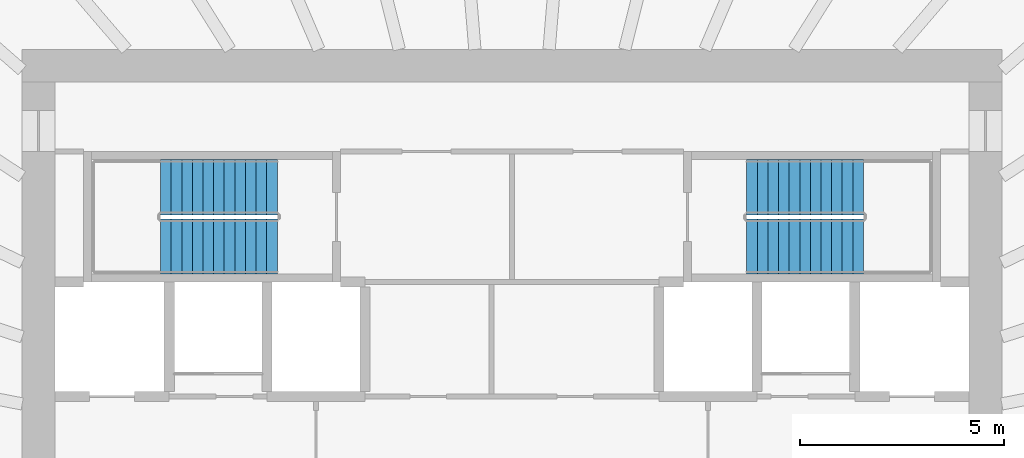
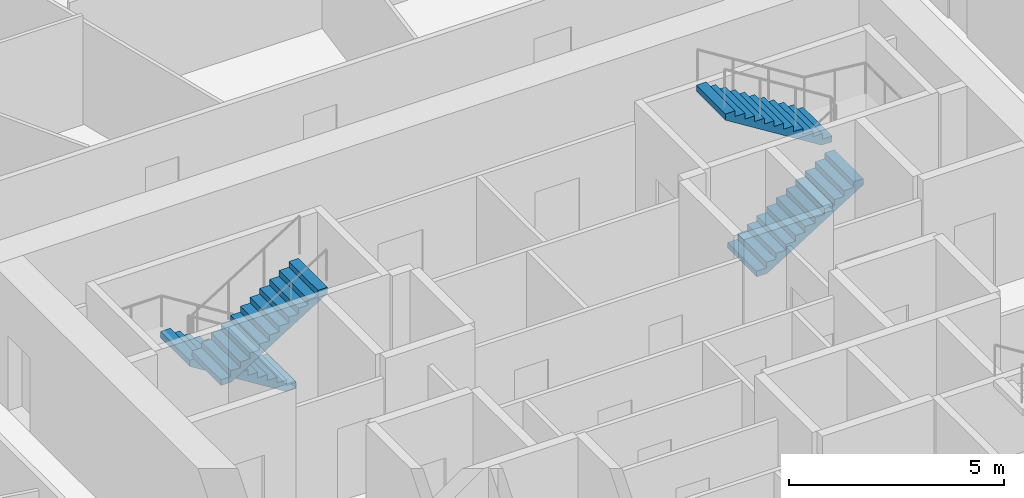
# One storey, part 10 of 11: 4 stair flights, 2 elements without a shape of their own.
"""IFC4 building model written with IfcOpenShell, lengths in metres."""

import ifcopenshell
import ifcopenshell.guid

model = None  # the IFC model being written
_history = None  # IfcOwnerHistory: only IFC2X3 demands one
_inside = {}  # id of a spatial element -> (the spatial element, [elements in it])
_under = {}  # id of a project, library or spatial element -> (it, [spatial elements below it])
_declared = {}  # id of a project -> (the project, [libraries it declares])
_typed = {}  # id of a type object -> (the type object, [elements of that type])
_made_of = {}  # id of a material, layer set ... -> (it, [elements and type objects made of it])


def new_model(schema):
    """Start an empty IFC model of exactly this schema.

    Asked for "IFC4X3", IfcOpenShell would pick the latest addendum, in which some entities
    have other attributes; the version numbers below select the first issue.
    IFC2X3 requires an IfcOwnerHistory on every rooted entity: one is made here for all.
    """
    global model, _history
    if schema == "IFC4X3":
        model = ifcopenshell.file(schema_version=(4, 3, 0, 0))
    else:
        model = ifcopenshell.file(schema=schema)
    _inside.clear()
    _under.clear()
    _declared.clear()
    _typed.clear()
    _made_of.clear()
    _history = None
    if model.schema == "IFC2X3":
        org = make("IfcOrganization", Name="unknown")
        user = make(
            "IfcPersonAndOrganization",
            ThePerson=make("IfcPerson", FamilyName="unknown"),
            TheOrganization=org,
        )
        app = make(
            "IfcApplication",
            ApplicationDeveloper=org,
            Version="unknown",
            ApplicationFullName="unknown",
            ApplicationIdentifier="unknown",
        )
        _history = make(
            "IfcOwnerHistory",
            OwningUser=user,
            OwningApplication=app,
            ChangeAction="ADDED",
            CreationDate=0,
        )
    return model


def make(cls, **values):
    """One entity of the class cls with the attributes given. An attribute that is None is left unset."""
    return model.create_entity(
        cls, **{name: value for name, value in values.items() if value is not None}
    )


def rooted(cls, **values):
    """An entity with a GlobalId (a new one), such as an element, a storey or a relation."""
    return make(cls, GlobalId=ifcopenshell.guid.new(), OwnerHistory=_history, **values)


def si_unit(unit_type, name, prefix=None):
    """IfcSIUnit, for example si_unit("LENGTHUNIT", "METRE", prefix="MILLI")."""
    return make("IfcSIUnit", UnitType=unit_type, Prefix=prefix, Name=name)


def assignment(units):
    """IfcUnitAssignment: the units of a project."""
    return None if units is None else make("IfcUnitAssignment", Units=units)


def point(xyz):
    """IfcCartesianPoint."""
    return None if xyz is None else make("IfcCartesianPoint", Coordinates=xyz)


def direction(xyz):
    """IfcDirection."""
    return None if xyz is None else make("IfcDirection", DirectionRatios=xyz)


def frame(location, z_axis=None, x_axis=None):
    """IfcAxis2Placement3D, a coordinate frame: its origin and axes. An axis left out is left unset."""
    return make(
        "IfcAxis2Placement3D",
        Location=point(location),
        Axis=direction(z_axis),
        RefDirection=direction(x_axis),
    )


def origin():
    """The frame at (0, 0, 0) with its axes left unset."""
    return frame((0.0, 0.0, 0.0))


def place(relative_to, where):
    """IfcLocalPlacement: puts the frame where relative to a parent placement (None: the world)."""
    return make(
        "IfcLocalPlacement", PlacementRelTo=relative_to, RelativePlacement=where
    )


def context(
    kind, dimensions, precision=None, world=None, true_north=None, identifier=None
):
    """IfcGeometricRepresentationContext, for example the 3D "Model" context."""
    return make(
        "IfcGeometricRepresentationContext",
        ContextIdentifier=identifier,
        ContextType=kind,
        CoordinateSpaceDimension=dimensions,
        Precision=precision,
        WorldCoordinateSystem=world,
        TrueNorth=true_north,
    )


def subcontext(parent, identifier, kind, view, scale=None):
    """IfcGeometricRepresentationSubContext, for example "Body" below "Model"."""
    return make(
        "IfcGeometricRepresentationSubContext",
        ContextIdentifier=identifier,
        ContextType=kind,
        ParentContext=parent,
        TargetScale=scale,
        TargetView=view,
    )


def project(units=None, contexts=None):
    """IfcProject with its units and contexts."""
    return rooted(
        "IfcProject",
        Name="project",
        RepresentationContexts=contexts,
        UnitsInContext=assignment(units),
    )


def spatial(cls, under=None, at=None, **own):
    """A site, building, storey or space (cls), placed at a placement, below another one or the project."""
    s = rooted(cls, ObjectPlacement=at, **own)
    if under is not None:
        _under.setdefault(under.id(), (under, []))[1].append(s)
    return s


def polyline(points):
    """IfcPolyline through the points."""
    return make("IfcPolyline", Points=[point(p) for p in points])


def outline(outer, holes=None, kind="AREA"):
    """IfcArbitraryClosedProfileDef: a profile drawn as a closed curve; with holes, ...WithVoids."""
    if holes is None:
        return make("IfcArbitraryClosedProfileDef", ProfileType=kind, OuterCurve=outer)
    return make(
        "IfcArbitraryProfileDefWithVoids",
        ProfileType=kind,
        OuterCurve=outer,
        InnerCurves=holes,
    )


def extrude(swept, where, along, depth):
    """IfcExtrudedAreaSolid: the profile swept, set in the frame where, extruded along a direction by depth."""
    return make(
        "IfcExtrudedAreaSolid",
        SweptArea=swept,
        Position=where,
        ExtrudedDirection=direction(along),
        Depth=depth,
    )


def shape(context_of_items, identifier, shape_type, items):
    """IfcShapeRepresentation: the items that make up one representation, for example the "Body"."""
    return make(
        "IfcShapeRepresentation",
        ContextOfItems=context_of_items,
        RepresentationIdentifier=identifier,
        RepresentationType=shape_type,
        Items=items,
    )


def source(mapping_origin, context_of_items, identifier, shape_type, items):
    """IfcRepresentationMap: a shape defined once, which mapped items show again and again."""
    return make(
        "IfcRepresentationMap",
        MappingOrigin=mapping_origin,
        MappedRepresentation=shape(context_of_items, identifier, shape_type, items),
    )


def transform(
    local_origin,
    x_axis=None,
    y_axis=None,
    z_axis=None,
    scale=None,
    scale2=None,
    scale3=None,
    uniform=True,
):
    """IfcCartesianTransformationOperator3D, or its non-uniform kind. x_axis, y_axis, z_axis: its Axis1, 2, 3."""
    if uniform:
        return make(
            "IfcCartesianTransformationOperator3D",
            Axis1=direction(x_axis),
            Axis2=direction(y_axis),
            LocalOrigin=point(local_origin),
            Scale=scale,
            Axis3=direction(z_axis),
        )
    return make(
        "IfcCartesianTransformationOperator3DnonUniform",
        Axis1=direction(x_axis),
        Axis2=direction(y_axis),
        LocalOrigin=point(local_origin),
        Scale=scale,
        Axis3=direction(z_axis),
        Scale2=scale2,
        Scale3=scale3,
    )


def mapped(mapping_source, mapping_target):
    """IfcMappedItem: shows the shape of a source again, moved by a transform."""
    return make(
        "IfcMappedItem", MappingSource=mapping_source, MappingTarget=mapping_target
    )


def material(Name=None, Category=None):
    """IfcMaterial."""
    return make("IfcMaterial", Name=Name, Category=Category)


def made_of(thing, what):
    """Note that an element or type object is made of a material, layer set ...; save() writes the relation."""
    if what is not None:
        _made_of.setdefault(what.id(), (what, []))[1].append(thing)
    return thing


def type_object(cls, material=None, **own):
    """A type object (cls), such as IfcWallType, which elements share."""
    return made_of(rooted(cls, **own), material)


def element(
    cls,
    number,
    at=None,
    inside=None,
    cuts=None,
    type_object=None,
    material=None,
    context=None,
    identifier="Body",
    shape_type=None,
    held_by="IfcProductDefinitionShape",
    body=None,
    shapes=None,
    **own,
):
    """One element of the class cls, such as IfcWall. Its Tag is "e" and its number.

    at: its placement. inside: the storey or other place that contains it. cuts: it is an
    opening in that element (IfcRelVoidsElement). A single representation is given by context,
    identifier, shape_type and body (its items); several are given by shapes. held_by: the class
    of the entity that holds the representations. save() writes the other relations.
    """
    e = rooted(cls, Tag="e%d" % number, ObjectPlacement=at, **own)
    if body is not None:
        shapes = [shape(context, identifier, shape_type, body)]
    if shapes is not None:
        e.Representation = make(held_by, Representations=shapes)
    if inside is not None:
        _inside.setdefault(inside.id(), (inside, []))[1].append(e)
    if cuts is not None:
        rooted(
            "IfcRelVoidsElement", RelatingBuildingElement=cuts, RelatedOpeningElement=e
        )
    if type_object is not None:
        _typed.setdefault(type_object.id(), (type_object, []))[1].append(e)
    return made_of(e, material)


def aggregate(whole, parts):
    """IfcRelAggregates: a whole, such as a stair, and the parts it consists of."""
    return rooted("IfcRelAggregates", RelatingObject=whole, RelatedObjects=parts)


def save(model, path):
    """Write the relations noted so far, then the file.

    IfcRelAggregates (storeys below a building ...), IfcRelContainedInSpatialStructure (elements
    in a storey), IfcRelDefinesByType, IfcRelAssociatesMaterial and IfcRelDeclares: one each for
    every whole, place, type object, material and project.
    """
    for whole, parts in _under.values():
        aggregate(whole, parts)
    for where, things in _inside.values():
        rooted(
            "IfcRelContainedInSpatialStructure",
            RelatedElements=things,
            RelatingStructure=where,
        )
    for kind, things in _typed.values():
        rooted("IfcRelDefinesByType", RelatedObjects=things, RelatingType=kind)
    for what, things in _made_of.values():
        rooted("IfcRelAssociatesMaterial", RelatedObjects=things, RelatingMaterial=what)
    for by, libraries in _declared.values():
        rooted("IfcRelDeclares", RelatingContext=by, RelatedDefinitions=libraries)
    model.write(path)


model = new_model("IFC4")

# Units and contexts
model_context = context("Model", 3, precision=1e-05, world=origin(), true_north=direction((0.0, 1.0)))
body_context = subcontext(model_context, "Body", "Model", "MODEL_VIEW")
ifc_project = project(units=[si_unit("LENGTHUNIT", "METRE"), si_unit("AREAUNIT", "SQUARE_METRE"), si_unit("VOLUMEUNIT", "CUBIC_METRE"), si_unit("PLANEANGLEUNIT", "RADIAN"), si_unit("MASSUNIT", "GRAM", prefix="KILO")], contexts=[model_context])

# Site, building, storey
site_placement = place(None, origin())
site = spatial("IfcSite", under=ifc_project, at=site_placement, CompositionType="ELEMENT")
building_placement = place(site_placement, origin())
building = spatial("IfcBuilding", under=site, at=building_placement, Name="Embergate Tower", CompositionType="ELEMENT")
storey_placement = place(building_placement, frame((0.0, 0.0, 226.800048828125)))
storey = spatial("IfcBuildingStorey", under=building, at=storey_placement, Name="L52", CompositionType="ELEMENT", Elevation=226.800048828125)

# Stair, stair flights
ifc_material_1 = material(Name="Exit stair")
stair_type = type_object("IfcStairType", Name="Exit stair", PredefinedType="HALF_TURN_STAIR", material=ifc_material_1)
stair_1_placement = place(storey_placement, origin())
stair_1 = element("IfcStair", 1, at=stair_1_placement, inside=storey, type_object=stair_type, Name="L52 Exit stair 1", PredefinedType="HALF_TURN_STAIR")
ifc_material_2 = material(Name="Concrete C40", Category="concrete")
stair_flight_type = type_object("IfcStairFlightType", Name="Stair flight reinforced concrete", PredefinedType="STRAIGHT", material=ifc_material_2)
shared_shape = source(origin(), body_context, "Body", "SweptSolid", [
    extrude(outline(polyline([(0.0, 0.0), (0.0, 0.16259765625), (0.260009765625, 0.16259765625), (0.260009765625, 0.324951171875), (0.52001953125, 0.324951171875), (0.52001953125, 0.487548828125), (0.780029296875, 0.487548828125), (0.780029296875, 0.64990234375), (1.0400390625, 0.64990234375), (1.0400390625, 0.8125), (1.300048828125, 0.8125), (1.300048828125, 0.97509765625), (1.56005859375, 0.97509765625), (1.56005859375, 1.137451171875), (1.820068359375, 1.137451171875), (1.820068359375, 1.300048828125), (2.080078125, 1.300048828125), (2.080078125, 1.46240234375), (2.340087890625, 1.46240234375), (2.340087890625, 1.625), (2.60009765625, 1.625), (2.60009765625, 1.78759765625), (2.860107421875, 1.78759765625), (2.860107421875, 1.949951171875), (2.860107421875, 1.61083984375), (0.28271484375, 0.0), (0.0, 0.0)])), frame((0.0, 0.675048828125, 0.0), z_axis=(0.0, -1.0, 0.0), x_axis=(1.0, 0.0, 0.0)), (0.0, 0.0, 1.0), 1.35009765625),
])
stair_flight_1_placement = place(storey_placement, frame((-5.75, 7.625, 0.0), z_axis=(0.0, 0.0, 1.0), x_axis=(-1.0, 0.0, 0.0)))
stair_flight_1 = element("IfcStairFlight", 2, at=stair_flight_1_placement, type_object=stair_flight_type, Name="ST1 flight 1", NumberOfRisers=12, NumberOfTreads=11, PredefinedType="STRAIGHT", RiserHeight=0.1625, TreadLength=0.26, context=body_context, shape_type="MappedRepresentation", body=[
    mapped(shared_shape, transform((0.0, 0.0, 0.0))),
])
stair_flight_2_placement = place(storey_placement, frame((-8.610107421875, 6.175048828125, 1.949951171875), z_axis=(0.0, 0.0, 1.0), x_axis=(1.0, 0.0, 0.0)))
stair_flight_2 = element("IfcStairFlight", 3, at=stair_flight_2_placement, type_object=stair_flight_type, Name="ST1 flight 2", NumberOfRisers=12, NumberOfTreads=11, PredefinedType="STRAIGHT", RiserHeight=0.1625, TreadLength=0.26, context=body_context, shape_type="MappedRepresentation", body=[
    mapped(shared_shape, transform((0.0, 0.0, 0.0))),
])
aggregate(stair_1, [stair_flight_1, stair_flight_2])

stair_2_placement = place(storey_placement, origin())
stair_2 = element("IfcStair", 4, at=stair_2_placement, inside=storey, type_object=stair_type, Name="L52 Exit stair 2", PredefinedType="HALF_TURN_STAIR")
stair_flight_3_placement = place(storey_placement, frame((5.75, 6.175048828125, 0.0), z_axis=(0.0, 0.0, 1.0), x_axis=(1.0, 0.0, 0.0)))
stair_flight_3 = element("IfcStairFlight", 5, at=stair_flight_3_placement, type_object=stair_flight_type, Name="ST2 flight 1", NumberOfRisers=12, NumberOfTreads=11, PredefinedType="STRAIGHT", RiserHeight=0.1625, TreadLength=0.26, context=body_context, shape_type="MappedRepresentation", body=[
    mapped(shared_shape, transform((0.0, 0.0, 0.0))),
])
stair_flight_4_placement = place(storey_placement, frame((8.610107421875, 7.625, 1.949951171875), z_axis=(0.0, 0.0, 1.0), x_axis=(-1.0, 0.0, 0.0)))
stair_flight_4 = element("IfcStairFlight", 6, at=stair_flight_4_placement, type_object=stair_flight_type, Name="ST2 flight 2", NumberOfRisers=12, NumberOfTreads=11, PredefinedType="STRAIGHT", RiserHeight=0.1625, TreadLength=0.26, context=body_context, shape_type="MappedRepresentation", body=[
    mapped(shared_shape, transform((0.0, 0.0, 0.0))),
])
aggregate(stair_2, [stair_flight_3, stair_flight_4])

save(model, "model.ifc")
